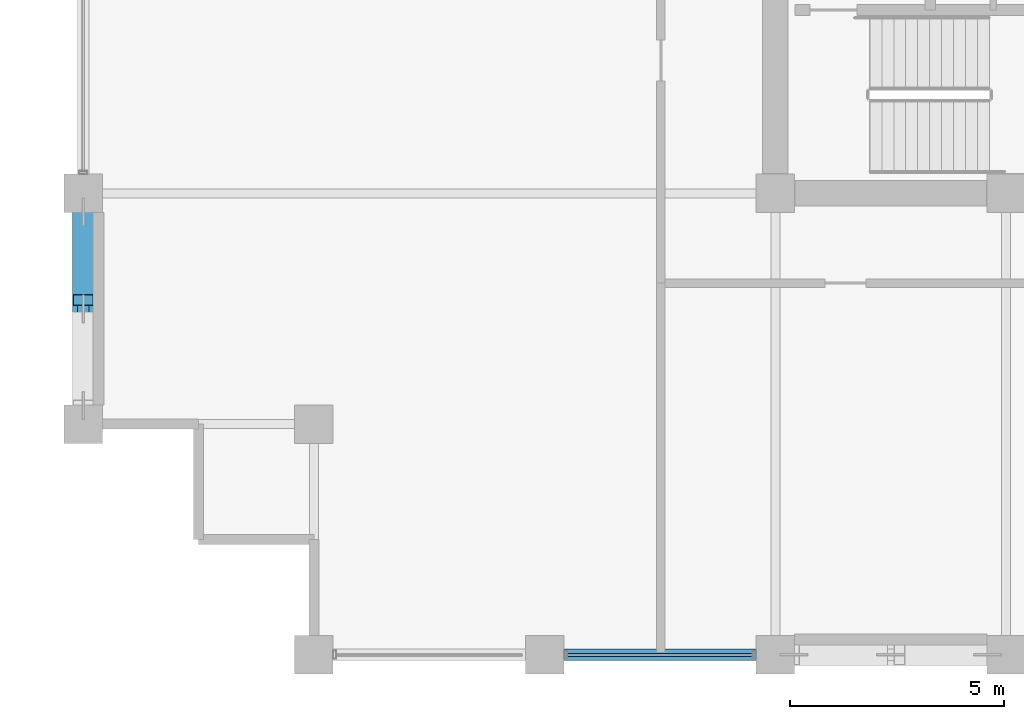
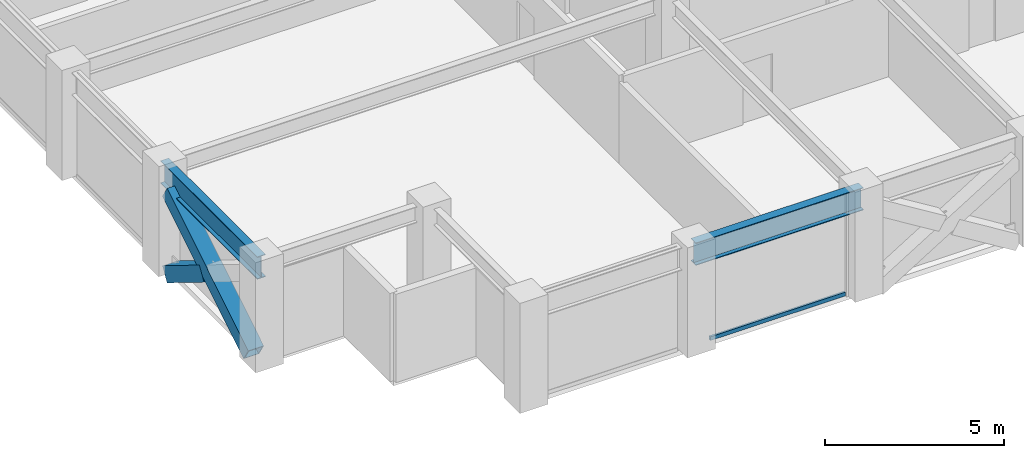
# One storey, part 3 of 32: 3 members, 2 beams, 1 element without a shape of its own.
"""IFC4 building model written with IfcOpenShell, lengths in metres."""

import ifcopenshell
import ifcopenshell.guid

model = None  # the IFC model being written
_history = None  # IfcOwnerHistory: only IFC2X3 demands one
_inside = {}  # id of a spatial element -> (the spatial element, [elements in it])
_under = {}  # id of a project, library or spatial element -> (it, [spatial elements below it])
_declared = {}  # id of a project -> (the project, [libraries it declares])
_typed = {}  # id of a type object -> (the type object, [elements of that type])
_made_of = {}  # id of a material, layer set ... -> (it, [elements and type objects made of it])


def new_model(schema):
    """Start an empty IFC model of exactly this schema.

    Asked for "IFC4X3", IfcOpenShell would pick the latest addendum, in which some entities
    have other attributes; the version numbers below select the first issue.
    IFC2X3 requires an IfcOwnerHistory on every rooted entity: one is made here for all.
    """
    global model, _history
    if schema == "IFC4X3":
        model = ifcopenshell.file(schema_version=(4, 3, 0, 0))
    else:
        model = ifcopenshell.file(schema=schema)
    _inside.clear()
    _under.clear()
    _declared.clear()
    _typed.clear()
    _made_of.clear()
    _history = None
    if model.schema == "IFC2X3":
        org = make("IfcOrganization", Name="unknown")
        user = make(
            "IfcPersonAndOrganization",
            ThePerson=make("IfcPerson", FamilyName="unknown"),
            TheOrganization=org,
        )
        app = make(
            "IfcApplication",
            ApplicationDeveloper=org,
            Version="unknown",
            ApplicationFullName="unknown",
            ApplicationIdentifier="unknown",
        )
        _history = make(
            "IfcOwnerHistory",
            OwningUser=user,
            OwningApplication=app,
            ChangeAction="ADDED",
            CreationDate=0,
        )
    return model


def make(cls, **values):
    """One entity of the class cls with the attributes given. An attribute that is None is left unset."""
    return model.create_entity(
        cls, **{name: value for name, value in values.items() if value is not None}
    )


def rooted(cls, **values):
    """An entity with a GlobalId (a new one), such as an element, a storey or a relation."""
    return make(cls, GlobalId=ifcopenshell.guid.new(), OwnerHistory=_history, **values)


def si_unit(unit_type, name, prefix=None):
    """IfcSIUnit, for example si_unit("LENGTHUNIT", "METRE", prefix="MILLI")."""
    return make("IfcSIUnit", UnitType=unit_type, Prefix=prefix, Name=name)


def assignment(units):
    """IfcUnitAssignment: the units of a project."""
    return None if units is None else make("IfcUnitAssignment", Units=units)


def point(xyz):
    """IfcCartesianPoint."""
    return None if xyz is None else make("IfcCartesianPoint", Coordinates=xyz)


def direction(xyz):
    """IfcDirection."""
    return None if xyz is None else make("IfcDirection", DirectionRatios=xyz)


def frame(location, z_axis=None, x_axis=None):
    """IfcAxis2Placement3D, a coordinate frame: its origin and axes. An axis left out is left unset."""
    return make(
        "IfcAxis2Placement3D",
        Location=point(location),
        Axis=direction(z_axis),
        RefDirection=direction(x_axis),
    )


def frame_2d(location, x_axis=None):
    """IfcAxis2Placement2D, a coordinate frame in the plane: its origin and x axis."""
    return make(
        "IfcAxis2Placement2D", Location=point(location), RefDirection=direction(x_axis)
    )


def origin():
    """The frame at (0, 0, 0) with its axes left unset."""
    return frame((0.0, 0.0, 0.0))


def origin_2d():
    """The frame at (0, 0) in the plane with its x axis left unset."""
    return frame_2d((0.0, 0.0))


def place(relative_to, where):
    """IfcLocalPlacement: puts the frame where relative to a parent placement (None: the world)."""
    return make(
        "IfcLocalPlacement", PlacementRelTo=relative_to, RelativePlacement=where
    )


def context(
    kind, dimensions, precision=None, world=None, true_north=None, identifier=None
):
    """IfcGeometricRepresentationContext, for example the 3D "Model" context."""
    return make(
        "IfcGeometricRepresentationContext",
        ContextIdentifier=identifier,
        ContextType=kind,
        CoordinateSpaceDimension=dimensions,
        Precision=precision,
        WorldCoordinateSystem=world,
        TrueNorth=true_north,
    )


def subcontext(parent, identifier, kind, view, scale=None):
    """IfcGeometricRepresentationSubContext, for example "Body" below "Model"."""
    return make(
        "IfcGeometricRepresentationSubContext",
        ContextIdentifier=identifier,
        ContextType=kind,
        ParentContext=parent,
        TargetScale=scale,
        TargetView=view,
    )


def project(units=None, contexts=None):
    """IfcProject with its units and contexts."""
    return rooted(
        "IfcProject",
        Name="project",
        RepresentationContexts=contexts,
        UnitsInContext=assignment(units),
    )


def spatial(cls, under=None, at=None, **own):
    """A site, building, storey or space (cls), placed at a placement, below another one or the project."""
    s = rooted(cls, ObjectPlacement=at, **own)
    if under is not None:
        _under.setdefault(under.id(), (under, []))[1].append(s)
    return s


def profile(cls, at=None, kind="AREA", **sizes):
    """A parametric profile (cls). Its sizes go by their IFC names, for example OverallWidth=200.0."""
    return make(cls, ProfileType=kind, Position=at, **sizes)


def hollow_rectangle(**sizes):
    """IfcRectangleHollowProfileDef."""
    return profile("IfcRectangleHollowProfileDef", **sizes)


def i_section(**sizes):
    """IfcIShapeProfileDef."""
    return profile("IfcIShapeProfileDef", **sizes)


def extrude(swept, where, along, depth):
    """IfcExtrudedAreaSolid: the profile swept, set in the frame where, extruded along a direction by depth."""
    return make(
        "IfcExtrudedAreaSolid",
        SweptArea=swept,
        Position=where,
        ExtrudedDirection=direction(along),
        Depth=depth,
    )


def shape(context_of_items, identifier, shape_type, items):
    """IfcShapeRepresentation: the items that make up one representation, for example the "Body"."""
    return make(
        "IfcShapeRepresentation",
        ContextOfItems=context_of_items,
        RepresentationIdentifier=identifier,
        RepresentationType=shape_type,
        Items=items,
    )


def material(Name=None, Category=None):
    """IfcMaterial."""
    return make("IfcMaterial", Name=Name, Category=Category)


def layer(
    of_material, thickness, ventilated=None, Name=None, Category=None, Priority=None
):
    """IfcMaterialLayer: one layer of a wall or slab, of a material (None: an air gap)."""
    return make(
        "IfcMaterialLayer",
        Material=of_material,
        LayerThickness=thickness,
        IsVentilated=ventilated,
        Name=Name,
        Category=Category,
        Priority=Priority,
    )


def layer_set(layers, Name=None):
    """IfcMaterialLayerSet."""
    return make("IfcMaterialLayerSet", MaterialLayers=layers, LayerSetName=Name)


def material_profile(
    of_material, cross_section, Name=None, Category=None, Priority=None
):
    """IfcMaterialProfile: a cross section and its material."""
    return make(
        "IfcMaterialProfile",
        Name=Name,
        Material=of_material,
        Profile=cross_section,
        Priority=Priority,
        Category=Category,
    )


def profile_set(profiles, Name=None, composite=None):
    """IfcMaterialProfileSet."""
    return make(
        "IfcMaterialProfileSet",
        Name=Name,
        MaterialProfiles=profiles,
        CompositeProfile=composite,
    )


def made_of(thing, what):
    """Note that an element or type object is made of a material, layer set ...; save() writes the relation."""
    if what is not None:
        _made_of.setdefault(what.id(), (what, []))[1].append(thing)
    return thing


def type_object(cls, material=None, **own):
    """A type object (cls), such as IfcWallType, which elements share."""
    return made_of(rooted(cls, **own), material)


def element(
    cls,
    number,
    at=None,
    inside=None,
    cuts=None,
    type_object=None,
    material=None,
    context=None,
    identifier="Body",
    shape_type=None,
    held_by="IfcProductDefinitionShape",
    body=None,
    shapes=None,
    **own,
):
    """One element of the class cls, such as IfcWall. Its Tag is "e" and its number.

    at: its placement. inside: the storey or other place that contains it. cuts: it is an
    opening in that element (IfcRelVoidsElement). A single representation is given by context,
    identifier, shape_type and body (its items); several are given by shapes. held_by: the class
    of the entity that holds the representations. save() writes the other relations.
    """
    e = rooted(cls, Tag="e%d" % number, ObjectPlacement=at, **own)
    if body is not None:
        shapes = [shape(context, identifier, shape_type, body)]
    if shapes is not None:
        e.Representation = make(held_by, Representations=shapes)
    if inside is not None:
        _inside.setdefault(inside.id(), (inside, []))[1].append(e)
    if cuts is not None:
        rooted(
            "IfcRelVoidsElement", RelatingBuildingElement=cuts, RelatedOpeningElement=e
        )
    if type_object is not None:
        _typed.setdefault(type_object.id(), (type_object, []))[1].append(e)
    return made_of(e, material)


def aggregate(whole, parts):
    """IfcRelAggregates: a whole, such as a stair, and the parts it consists of."""
    return rooted("IfcRelAggregates", RelatingObject=whole, RelatedObjects=parts)


def save(model, path):
    """Write the relations noted so far, then the file.

    IfcRelAggregates (storeys below a building ...), IfcRelContainedInSpatialStructure (elements
    in a storey), IfcRelDefinesByType, IfcRelAssociatesMaterial and IfcRelDeclares: one each for
    every whole, place, type object, material and project.
    """
    for whole, parts in _under.values():
        aggregate(whole, parts)
    for where, things in _inside.values():
        rooted(
            "IfcRelContainedInSpatialStructure",
            RelatedElements=things,
            RelatingStructure=where,
        )
    for kind, things in _typed.values():
        rooted("IfcRelDefinesByType", RelatedObjects=things, RelatingType=kind)
    for what, things in _made_of.values():
        rooted("IfcRelAssociatesMaterial", RelatedObjects=things, RelatingMaterial=what)
    for by, libraries in _declared.values():
        rooted("IfcRelDeclares", RelatingContext=by, RelatedDefinitions=libraries)
    model.write(path)


model = new_model("IFC4")

# Units and contexts
model_context = context("Model", 3, precision=1e-05, world=origin(), true_north=direction((0.0, 1.0)))
body_context = subcontext(model_context, "Body", "Model", "MODEL_VIEW")
ifc_project = project(units=[si_unit("LENGTHUNIT", "METRE"), si_unit("AREAUNIT", "SQUARE_METRE"), si_unit("VOLUMEUNIT", "CUBIC_METRE"), si_unit("PLANEANGLEUNIT", "RADIAN"), si_unit("MASSUNIT", "GRAM", prefix="KILO")], contexts=[model_context])

# Site, building, storey
site_placement = place(None, origin())
site = spatial("IfcSite", under=ifc_project, at=site_placement, CompositionType="ELEMENT")
building_placement = place(site_placement, origin())
building = spatial("IfcBuilding", under=site, at=building_placement, Name="Surkhivell Harbour Commons", CompositionType="ELEMENT")
storey_placement = place(building_placement, frame((0.0, 0.0, 189.75)))
storey = spatial("IfcBuildingStorey", under=building, at=storey_placement, Name="L49", CompositionType="ELEMENT", Elevation=189.75)

# Beams
ifc_material_1 = material(Name="Steel S355", Category="steel")
ifc_material_profile_1 = material_profile(ifc_material_1, i_section(OverallWidth=0.26806640625, OverallDepth=0.77001953125, WebThickness=0.015625, FlangeThickness=0.025390625, at=origin_2d()), Name="UB762x267x197")
ifc_profile_set_1 = profile_set([ifc_material_profile_1], Name="Steel S355")
beam_type = type_object("IfcBeamType", Name="BM-SPN-762", PredefinedType="SPANDREL", material=ifc_profile_set_1)
for number, where, z_axis, x_axis, name in (
    (1, (-27.0, -16.199951171875, 3.18505859375), (0.0, 1.0, 0.0), (-1.0, 0.0, 0.0), "L49 Tube Spandrel (-27.0,-16.2)"),
    (2, (-16.199951171875, -21.60009765625, 3.18505859375), (1.0, 0.0, 0.0), (0.0, 1.0, 0.0), "L49 Tube Spandrel (-16.2,-21.6)"),
):
    element("IfcBeam", number, at=place(storey_placement, frame(where, z_axis=z_axis, x_axis=x_axis)), inside=storey, type_object=beam_type, Name=name, PredefinedType="SPANDREL", context=body_context, shape_type="SweptSolid", body=[
        extrude(i_section(OverallWidth=0.26806640625, OverallDepth=0.77001953125, WebThickness=0.015625, FlangeThickness=0.025390625, at=origin_2d()), origin(), (0.0, 0.0, 1.0), 5.39990234375),
    ])

# Curtain wall, member
ifc_material_2 = material(Name="Anodised pale-metal aluminium and insulated glazing", Category="aluminium")
ifc_layer = layer(ifc_material_2, 0.18994140625)
ifc_layer_set = layer_set([ifc_layer], Name="Anodised pale-metal aluminium and insulated glazing")
curtain_wall_type = type_object("IfcCurtainWallType", Name="CW-SYS-Z3", PredefinedType="NOTDEFINED", material=ifc_layer_set)
curtain_wall_placement = place(storey_placement, origin())
curtain_wall = element("IfcCurtainWall", 3, at=curtain_wall_placement, inside=storey, type_object=curtain_wall_type, Name="L49 Curtain Wall CW-L49-E00S1", PredefinedType="NOTDEFINED")
ifc_material_3 = material(Name="Champagne anodised aluminium alloy 6063-T6", Category="aluminium")
ifc_material_profile_2 = material_profile(ifc_material_3, hollow_rectangle(XDim=0.070068359375, YDim=0.1298828125, WallThickness=0.00341796875, at=origin_2d()), Name="ALU-TRAN-70x130")
ifc_profile_set_2 = profile_set([ifc_material_profile_2], Name="Champagne anodised aluminium alloy 6063-T6")
member_type_1 = type_object("IfcMemberType", Name="CWT-130", PredefinedType="USERDEFINED", material=ifc_profile_set_2)
member_1_placement = place(storey_placement, frame((-15.673095703125, -21.60009765625, 0.06494140625), z_axis=(1.0, 0.0, 0.0), x_axis=(0.0, 1.0, 0.0)))
member_1 = element("IfcMember", 4, at=member_1_placement, type_object=member_type_1, Name="CW-Z3 transom 2.1", ObjectType="TRANSOM", PredefinedType="USERDEFINED", context=body_context, shape_type="SweptSolid", body=[
    extrude(hollow_rectangle(XDim=0.070068359375, YDim=0.1298828125, WallThickness=0.00341796875, at=origin_2d()), origin(), (0.0, 0.0, 1.0), 4.34619140625),
])
aggregate(curtain_wall, [member_1])

# Members
ifc_material_4 = material(Name="Steel S460", Category="steel")
ifc_material_profile_3 = material_profile(ifc_material_4, hollow_rectangle(XDim=0.5, YDim=0.5, WallThickness=0.02490234375, at=origin_2d()), Name="SHS500x500x25")
ifc_profile_set_3 = profile_set([ifc_material_profile_3], Name="Steel S460")
member_type_2 = type_object("IfcMemberType", Name="MEM-BRC-SHS500", PredefinedType="BRACE", material=ifc_profile_set_3)
member_2_placement = place(storey_placement, frame((-27.0, -15.764892578125, 0.008056640625), z_axis=(0.0, 0.850958380769, 0.525233123669), x_axis=(-1.0, 0.0, 0.0)))
element("IfcMember", 5, at=member_2_placement, inside=storey, type_object=member_type_2, Name="L49 Perimeter Mega-Brace MB- 10", PredefinedType="BRACE", context=body_context, shape_type="SweptSolid", body=[
    extrude(hollow_rectangle(XDim=0.5, YDim=0.5, WallThickness=0.02490234375, at=origin_2d()), origin(), (0.0, 0.0, 1.0), 5.3232421875),
])
member_3_placement = place(storey_placement, frame((-27.0, -11.235107421875, 0.008056640625), z_axis=(0.0, -0.8510034189, 0.525160147974), x_axis=(1.0, 0.0, 0.0)))
element("IfcMember", 6, at=member_3_placement, inside=storey, type_object=member_type_2, Name="L49 Perimeter Mega-Brace MB- 11", PredefinedType="BRACE", context=body_context, shape_type="SweptSolid", body=[
    extrude(hollow_rectangle(XDim=0.5, YDim=0.5, WallThickness=0.02490234375, at=origin_2d()), origin(), (0.0, 0.0, 1.0), 2.421630859375),
])

save(model, "model.ifc")
